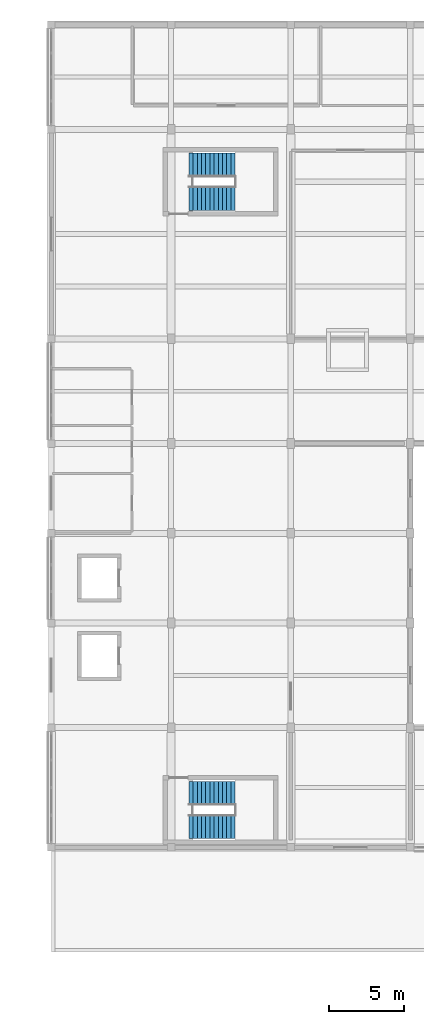
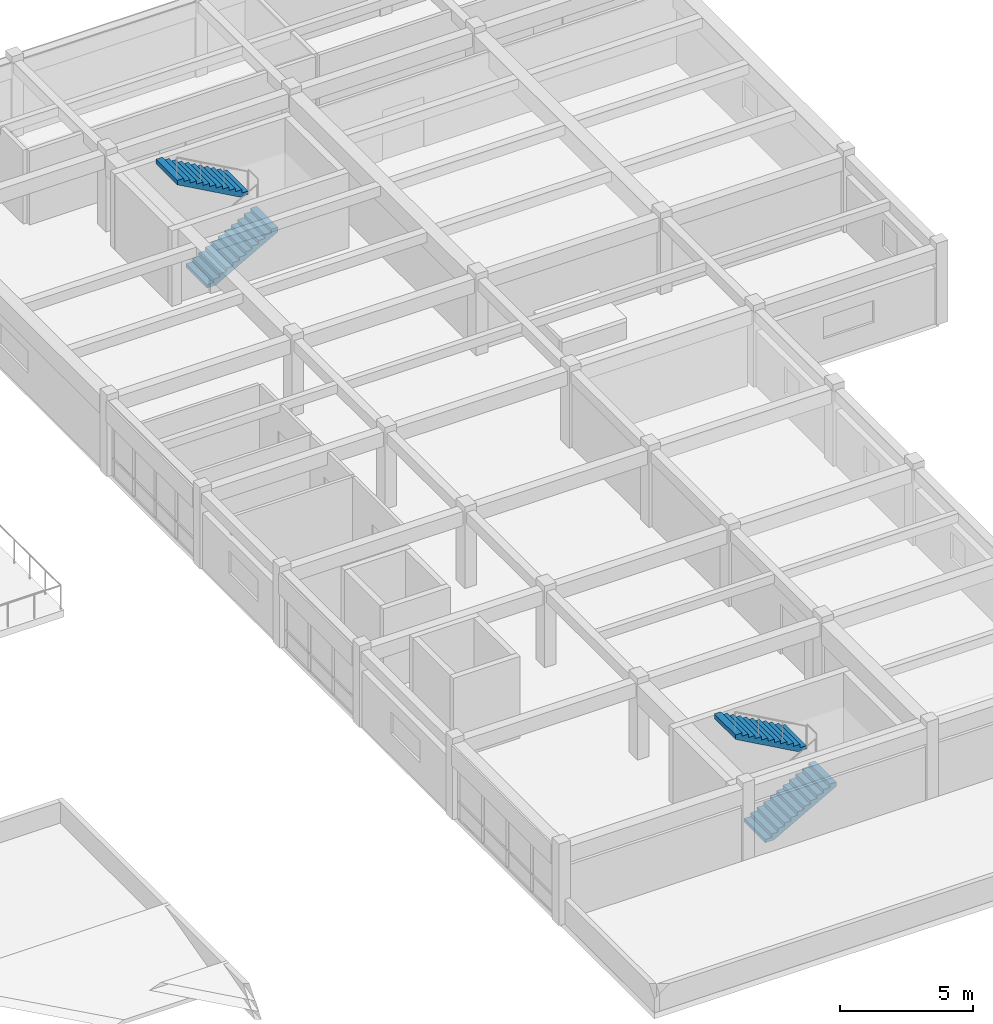
# One storey, part 17 of 22: 4 stair flights, 2 elements without a shape of their own.
"""IFC4 building model written with IfcOpenShell, lengths in metres."""

from ifc_helpers import new_model, si_unit, direction, frame, origin, place, context, subcontext, project, spatial, polyline, outline, extrude, material, type_object, element, aggregate, save


model = new_model("IFC4")

# Units and contexts
model_context = context("Model", 3, precision=1e-05, world=origin(), true_north=direction((0.0, 1.0)))
body_context = subcontext(model_context, "Body", "Model", "MODEL_VIEW")
ifc_project = project(units=[si_unit("LENGTHUNIT", "METRE"), si_unit("AREAUNIT", "SQUARE_METRE"), si_unit("VOLUMEUNIT", "CUBIC_METRE"), si_unit("PLANEANGLEUNIT", "RADIAN"), si_unit("MASSUNIT", "GRAM", prefix="KILO")], contexts=[model_context])

# Site, building, storey
site_placement = place(None, origin())
site = spatial("IfcSite", under=ifc_project, at=site_placement, CompositionType="ELEMENT")
building_placement = place(site_placement, origin())
building = spatial("IfcBuilding", under=site, at=building_placement, Name="Naurynzar Civic Courthouse", CompositionType="ELEMENT")
storey_placement = place(building_placement, frame((0.0, 0.0, 25.800048828125)))
storey = spatial("IfcBuildingStorey", under=building, at=storey_placement, Name="L07", CompositionType="ELEMENT", Elevation=25.800048828125)

# Stair, stair flights
ifc_material_1 = material(Name="Concrete C35/45", Category="concrete")
stair_type = type_object("IfcStairType", Name="STAIR-CORE-1600", PredefinedType="TWO_STRAIGHT_RUN_STAIR", material=ifc_material_1)
stair_1_placement = place(storey_placement, origin())
stair_1 = element("IfcStair", 1, at=stair_1_placement, inside=storey, type_object=stair_type, Name="Enclosed escape stair ST-V5A L07", PredefinedType="TWO_STRAIGHT_RUN_STAIR")
ifc_material_2 = material(Name="Concrete C35/45", Category="concrete")
stair_flight_type = type_object("IfcStairFlightType", Name="FLIGHT-RC-1600", PredefinedType="STRAIGHT", material=ifc_material_2)
stair_flight_1_placement = place(storey_placement, frame((139.199951171875, 18.3798828125, 0.0), z_axis=(0.0, 0.0, 1.0), x_axis=(1.0, 0.0, 0.0)))
stair_flight_1 = element("IfcStairFlight", 2, at=stair_flight_1_placement, type_object=stair_flight_type, Name="ST-V5A-L07 flight 1", NumberOfRisers=12, NumberOfTreads=11, PredefinedType="STRAIGHT", RiserHeight=0.15625, TreadLength=0.28, context=body_context, shape_type="SweptSolid", body=[
    extrude(outline(polyline([(0.0, 0.0), (0.0, 0.15625), (0.280029296875, 0.15625), (0.280029296875, 0.3125), (0.56005859375, 0.3125), (0.56005859375, 0.46875), (0.840087890625, 0.46875), (0.840087890625, 0.625), (1.1201171875, 0.625), (1.1201171875, 0.78125), (1.39990234375, 0.78125), (1.39990234375, 0.9375), (1.679931640625, 0.9375), (1.679931640625, 1.09375), (1.9599609375, 1.09375), (1.9599609375, 1.25), (2.239990234375, 1.25), (2.239990234375, 1.40625), (2.52001953125, 1.40625), (2.52001953125, 1.5625), (2.800048828125, 1.5625), (2.800048828125, 1.71875), (3.080078125, 1.71875), (3.080078125, 1.875), (3.080078125, 1.5126953125), (0.369140625, 0.0), (0.0, 0.0)])), frame((0.0, 0.800048828125, 0.0), z_axis=(0.0, -1.0, 0.0), x_axis=(1.0, 0.0, 0.0)), (0.0, 0.0, 1.0), 1.60009765625),
])
stair_flight_2_placement = place(storey_placement, frame((142.280029296875, 20.6201171875, 1.875), z_axis=(0.0, 0.0, 1.0), x_axis=(-1.0, 0.0, 0.0)))
stair_flight_2 = element("IfcStairFlight", 3, at=stair_flight_2_placement, type_object=stair_flight_type, Name="ST-V5A-L07 flight 2", NumberOfRisers=12, NumberOfTreads=11, PredefinedType="STRAIGHT", RiserHeight=0.15625, TreadLength=0.28, context=body_context, shape_type="SweptSolid", body=[
    extrude(outline(polyline([(0.0, 0.0), (0.0, 0.15625), (0.280029296875, 0.15625), (0.280029296875, 0.3125), (0.56005859375, 0.3125), (0.56005859375, 0.46875), (0.840087890625, 0.46875), (0.840087890625, 0.625), (1.1201171875, 0.625), (1.1201171875, 0.78125), (1.39990234375, 0.78125), (1.39990234375, 0.9375), (1.679931640625, 0.9375), (1.679931640625, 1.09375), (1.9599609375, 1.09375), (1.9599609375, 1.25), (2.239990234375, 1.25), (2.239990234375, 1.40625), (2.52001953125, 1.40625), (2.52001953125, 1.5625), (2.800048828125, 1.5625), (2.800048828125, 1.71875), (3.080078125, 1.71875), (3.080078125, 1.875), (3.080078125, 1.5126953125), (0.369140625, 0.0), (0.0, 0.0)])), frame((0.0, 0.800048828125, 0.0), z_axis=(0.0, -1.0, 0.0), x_axis=(1.0, 0.0, 0.0)), (0.0, 0.0, 1.0), 1.60009765625),
])
aggregate(stair_1, [stair_flight_1, stair_flight_2])

stair_2_placement = place(storey_placement, origin())
stair_2 = element("IfcStair", 4, at=stair_2_placement, inside=storey, type_object=stair_type, Name="Enclosed escape stair ST-V5B L07", PredefinedType="TWO_STRAIGHT_RUN_STAIR")
stair_flight_3_placement = place(storey_placement, frame((139.199951171875, 60.3798828125, 0.0), z_axis=(0.0, 0.0, 1.0), x_axis=(1.0, 0.0, 0.0)))
stair_flight_3 = element("IfcStairFlight", 5, at=stair_flight_3_placement, type_object=stair_flight_type, Name="ST-V5B-L07 flight 1", NumberOfRisers=12, NumberOfTreads=11, PredefinedType="STRAIGHT", RiserHeight=0.15625, TreadLength=0.28, context=body_context, shape_type="SweptSolid", body=[
    extrude(outline(polyline([(0.0, 0.0), (0.0, 0.15625), (0.280029296875, 0.15625), (0.280029296875, 0.3125), (0.56005859375, 0.3125), (0.56005859375, 0.46875), (0.840087890625, 0.46875), (0.840087890625, 0.625), (1.1201171875, 0.625), (1.1201171875, 0.78125), (1.39990234375, 0.78125), (1.39990234375, 0.9375), (1.679931640625, 0.9375), (1.679931640625, 1.09375), (1.9599609375, 1.09375), (1.9599609375, 1.25), (2.239990234375, 1.25), (2.239990234375, 1.40625), (2.52001953125, 1.40625), (2.52001953125, 1.5625), (2.800048828125, 1.5625), (2.800048828125, 1.71875), (3.080078125, 1.71875), (3.080078125, 1.875), (3.080078125, 1.5126953125), (0.369140625, 0.0), (0.0, 0.0)])), frame((0.0, 0.800048828125, 0.0), z_axis=(0.0, -1.0, 0.0), x_axis=(1.0, 0.0, 0.0)), (0.0, 0.0, 1.0), 1.60009765625),
])
stair_flight_4_placement = place(storey_placement, frame((142.280029296875, 62.6201171875, 1.875), z_axis=(0.0, 0.0, 1.0), x_axis=(-1.0, 0.0, 0.0)))
stair_flight_4 = element("IfcStairFlight", 6, at=stair_flight_4_placement, type_object=stair_flight_type, Name="ST-V5B-L07 flight 2", NumberOfRisers=12, NumberOfTreads=11, PredefinedType="STRAIGHT", RiserHeight=0.15625, TreadLength=0.28, context=body_context, shape_type="SweptSolid", body=[
    extrude(outline(polyline([(0.0, 0.0), (0.0, 0.15625), (0.280029296875, 0.15625), (0.280029296875, 0.3125), (0.56005859375, 0.3125), (0.56005859375, 0.46875), (0.840087890625, 0.46875), (0.840087890625, 0.625), (1.1201171875, 0.625), (1.1201171875, 0.78125), (1.39990234375, 0.78125), (1.39990234375, 0.9375), (1.679931640625, 0.9375), (1.679931640625, 1.09375), (1.9599609375, 1.09375), (1.9599609375, 1.25), (2.239990234375, 1.25), (2.239990234375, 1.40625), (2.52001953125, 1.40625), (2.52001953125, 1.5625), (2.800048828125, 1.5625), (2.800048828125, 1.71875), (3.080078125, 1.71875), (3.080078125, 1.875), (3.080078125, 1.5126953125), (0.369140625, 0.0), (0.0, 0.0)])), frame((0.0, 0.800048828125, 0.0), z_axis=(0.0, -1.0, 0.0), x_axis=(1.0, 0.0, 0.0)), (0.0, 0.0, 1.0), 1.60009765625),
])
aggregate(stair_2, [stair_flight_3, stair_flight_4])

save(model, "model.ifc")
